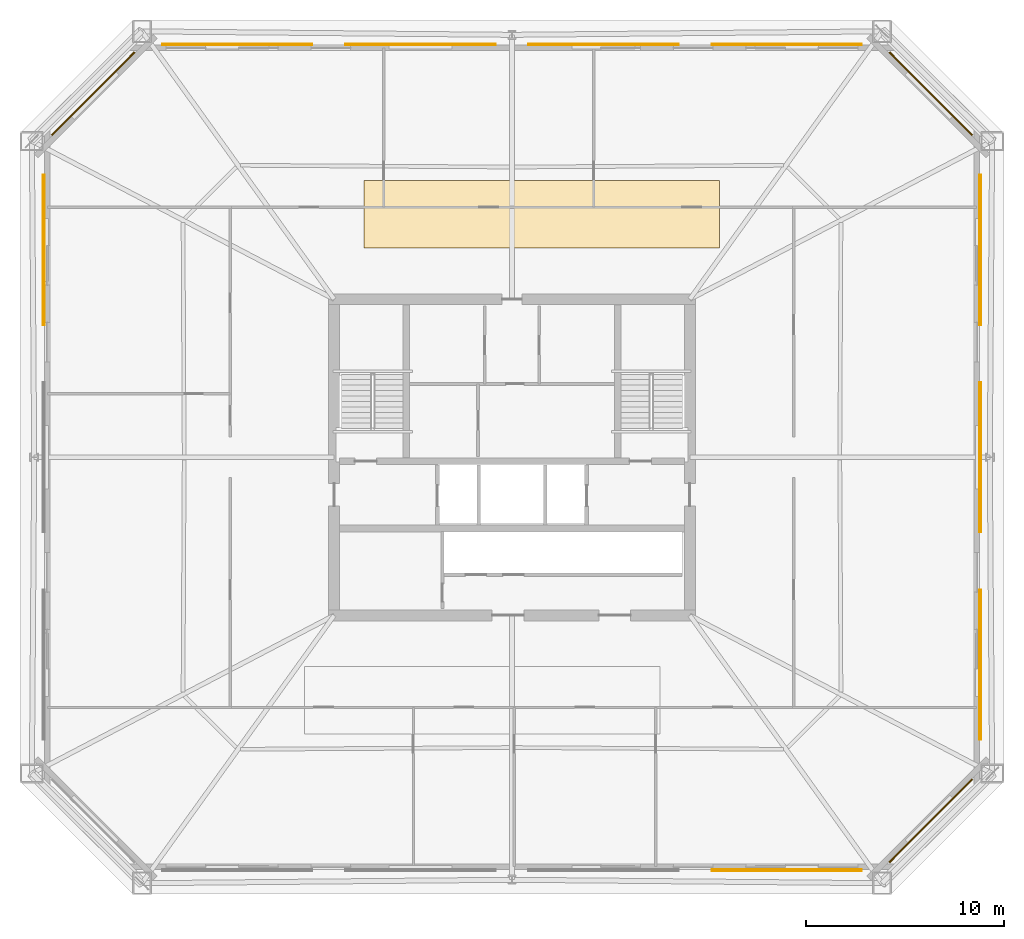
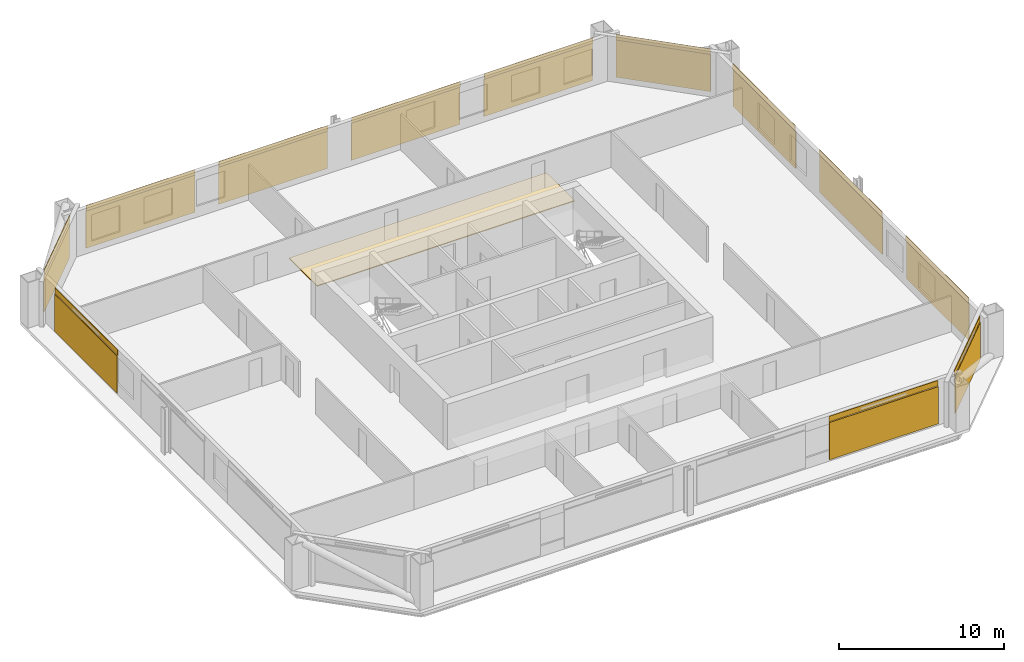
# One storey, part 7 of 7: 13 coverings, 12 shading devices.
"""IFC4 building model written with IfcOpenShell, lengths in metres."""

from ifc_helpers import new_model, si_unit, direction, frame, origin, origin_2d, place, context, subcontext, project, spatial, polyline, rectangle, outline, extrude, material, layer, layer_set, type_object, element, save


model = new_model("IFC4")

# Units and contexts
model_context = context("Model", 3, precision=1e-05, world=origin(), true_north=direction((0.0, 1.0)))
body_context = subcontext(model_context, "Body", "Model", "MODEL_VIEW")
ifc_project = project(units=[si_unit("LENGTHUNIT", "METRE"), si_unit("AREAUNIT", "SQUARE_METRE"), si_unit("VOLUMEUNIT", "CUBIC_METRE"), si_unit("PLANEANGLEUNIT", "RADIAN"), si_unit("MASSUNIT", "GRAM", prefix="KILO")], contexts=[model_context])

# Site, building, storey
site_placement = place(None, origin())
site = spatial("IfcSite", under=ifc_project, at=site_placement, CompositionType="ELEMENT")
building_placement = place(site_placement, origin())
building = spatial("IfcBuilding", under=site, at=building_placement, Name="Caelvoria Tower", CompositionType="ELEMENT")
storey_placement = place(building_placement, frame((0.0, 0.0, 98.800048828125)))
storey = spatial("IfcBuildingStorey", under=building, at=storey_placement, Name="L25", CompositionType="ELEMENT", Elevation=98.800048828125)

# Coverings
ifc_material_1 = material(Name="Perforated Architectural Bronze Cladding Screen", Category="bronze")
ifc_layer_1 = layer(ifc_material_1, 0.0400390625, Name="Perforated Architectural Bronze Cladding Screen")
ifc_layer_set_1 = layer_set([ifc_layer_1], Name="Perforated Bronze Louvre Cladding Band 40 - Perforated Architectural Bronze Cladding Screen")
covering_type_1 = type_object("IfcCoveringType", Name="Perforated Bronze Louvre Cladding Band 40", PredefinedType="CLADDING", material=ifc_layer_set_1)
covering_1_placement = place(storey_placement, frame((59.905029296875, 11.1279296875, 2.93994140625), z_axis=(0.0, 0.0, 1.0), x_axis=(1.0, 0.0, 0.0)))
element("IfcCovering", 1, at=covering_1_placement, inside=storey, type_object=covering_type_1, Name="Perforated Bronze Screen Band L25-E0-03", PredefinedType="CLADDING", context=body_context, shape_type="SweptSolid", body=[
    extrude(rectangle(XDim=7.60009765625, YDim=0.0400390625, at=origin_2d()), origin(), (0.0, 0.0, 1.0), 0.39990234375),
])
covering_2_placement = place(storey_placement, frame((67.181640625, 13.618408203125, 2.93994140625), z_axis=(0.0, 0.0, 1.0), x_axis=(0.707106781187, 0.707106781187, 0.0)))
element("IfcCovering", 2, at=covering_2_placement, inside=storey, type_object=covering_type_1, Name="Perforated Bronze Screen Band L25-E1-00", PredefinedType="CLADDING", context=body_context, shape_type="SweptSolid", body=[
    extrude(rectangle(XDim=5.93212890625, YDim=0.0400390625, at=origin_2d()), origin(), (0.0, 0.0, 1.0), 0.39990234375),
])
for number, where, z_axis, x_axis, name in (
    (3, (69.672119140625, 21.506591796875, 2.93994140625), (0.0, 0.0, 1.0), (0.0, 1.0, 0.0), "Perforated Bronze Screen Band L25-E2-00"),
    (4, (69.672119140625, 32.0, 2.93994140625), (0.0, 0.0, 1.0), (0.0, 1.0, 0.0), "Perforated Bronze Screen Band L25-E2-01"),
    (5, (69.672119140625, 42.493408203125, 2.93994140625), (0.0, 0.0, 1.0), (0.0, 1.0, 0.0), "Perforated Bronze Screen Band L25-E2-02"),
):
    element("IfcCovering", number, at=place(storey_placement, frame(where, z_axis=z_axis, x_axis=x_axis)), inside=storey, type_object=covering_type_1, Name=name, PredefinedType="CLADDING", context=body_context, shape_type="SweptSolid", body=[
        extrude(rectangle(XDim=7.60009765625, YDim=0.0400390625, at=origin_2d()), origin(), (0.0, 0.0, 1.0), 0.39990234375),
    ])
covering_3_placement = place(storey_placement, frame((67.181640625, 50.381591796875, 2.93994140625), z_axis=(0.0, 0.0, 1.0), x_axis=(-0.707106781187, 0.707106781187, 0.0)))
element("IfcCovering", 6, at=covering_3_placement, inside=storey, type_object=covering_type_1, Name="Perforated Bronze Screen Band L25-E3-00", PredefinedType="CLADDING", context=body_context, shape_type="SweptSolid", body=[
    extrude(rectangle(XDim=5.93212890625, YDim=0.0400390625, at=origin_2d()), origin(), (0.0, 0.0, 1.0), 0.39990234375),
])
for number, where, z_axis, x_axis, name in (
    (7, (59.905029296875, 52.8720703125, 2.93994140625), (0.0, 0.0, 1.0), (-1.0, 0.0, 0.0), "Perforated Bronze Screen Band L25-E4-00"),
    (8, (50.635009765625, 52.8720703125, 2.93994140625), (0.0, 0.0, 1.0), (-1.0, 0.0, 0.0), "Perforated Bronze Screen Band L25-E4-01"),
    (9, (41.364990234375, 52.8720703125, 2.93994140625), (0.0, 0.0, 1.0), (-1.0, 0.0, 0.0), "Perforated Bronze Screen Band L25-E4-02"),
    (10, (32.094970703125, 52.8720703125, 2.93994140625), (0.0, 0.0, 1.0), (-1.0, 0.0, 0.0), "Perforated Bronze Screen Band L25-E4-03"),
):
    element("IfcCovering", number, at=place(storey_placement, frame(where, z_axis=z_axis, x_axis=x_axis)), inside=storey, type_object=covering_type_1, Name=name, PredefinedType="CLADDING", context=body_context, shape_type="SweptSolid", body=[
        extrude(rectangle(XDim=7.60009765625, YDim=0.0400390625, at=origin_2d()), origin(), (0.0, 0.0, 1.0), 0.39990234375),
    ])
covering_4_placement = place(storey_placement, frame((24.818359375, 50.381591796875, 2.93994140625), z_axis=(0.0, 0.0, 1.0), x_axis=(-0.707106781187, -0.707106781187, 0.0)))
element("IfcCovering", 11, at=covering_4_placement, inside=storey, type_object=covering_type_1, Name="Perforated Bronze Screen Band L25-E5-00", PredefinedType="CLADDING", context=body_context, shape_type="SweptSolid", body=[
    extrude(rectangle(XDim=5.93212890625, YDim=0.0400390625, at=origin_2d()), origin(), (0.0, 0.0, 1.0), 0.39990234375),
])
covering_5_placement = place(storey_placement, frame((22.327880859375, 42.493408203125, 2.93994140625), z_axis=(0.0, 0.0, 1.0), x_axis=(0.0, -1.0, 0.0)))
element("IfcCovering", 12, at=covering_5_placement, inside=storey, type_object=covering_type_1, Name="Perforated Bronze Screen Band L25-E6-00", PredefinedType="CLADDING", context=body_context, shape_type="SweptSolid", body=[
    extrude(rectangle(XDim=7.60009765625, YDim=0.0400390625, at=origin_2d()), origin(), (0.0, 0.0, 1.0), 0.39990234375),
])

# Shading devices
ifc_material_2 = material(Name="Perforated Architectural Bronze Alloy Panel", Category="bronze")
ifc_layer_2 = layer(ifc_material_2, 0.044921875, Name="Perforated Architectural Bronze Alloy Panel")
ifc_layer_set_2 = layer_set([ifc_layer_2], Name="Perforated Bronze Solar Screen Panel SCREEN - Perforated Architectural Bronze Alloy Panel")
shading_device_type = type_object("IfcShadingDeviceType", Name="Perforated Bronze Solar Screen Panel SCREEN", PredefinedType="USERDEFINED", material=ifc_layer_set_2)
shading_device_1_placement = place(storey_placement, frame((59.905029296875, 11.0849609375, 0.159912109375), z_axis=(0.0, 0.0, 1.0), x_axis=(1.0, 0.0, 0.0)))
element("IfcShadingDevice", 13, at=shading_device_1_placement, inside=storey, type_object=shading_device_type, Name="Perforated Bronze Solar Screen L25-E0-03", ObjectType="SCREEN", PredefinedType="USERDEFINED", context=body_context, shape_type="SweptSolid", body=[
    extrude(rectangle(XDim=7.60009765625, YDim=0.044921875, at=origin_2d()), origin(), (0.0, 0.0, 1.0), 2.75),
])
shading_device_2_placement = place(storey_placement, frame((67.212158203125, 13.587890625, 0.159912109375), z_axis=(0.0, 0.0, 1.0), x_axis=(0.707106781187, 0.707106781187, 0.0)))
element("IfcShadingDevice", 14, at=shading_device_2_placement, inside=storey, type_object=shading_device_type, Name="Perforated Bronze Solar Screen L25-E1-00", ObjectType="SCREEN", PredefinedType="USERDEFINED", context=body_context, shape_type="SweptSolid", body=[
    extrude(rectangle(XDim=5.93212890625, YDim=0.044921875, at=origin_2d()), origin(), (0.0, 0.0, 1.0), 2.75),
])
for number, where, z_axis, x_axis, name in (
    (15, (69.715087890625, 21.506591796875, 0.159912109375), (0.0, 0.0, 1.0), (0.0, 1.0, 0.0), "Perforated Bronze Solar Screen L25-E2-00"),
    (16, (69.715087890625, 32.0, 0.159912109375), (0.0, 0.0, 1.0), (0.0, 1.0, 0.0), "Perforated Bronze Solar Screen L25-E2-01"),
    (17, (69.715087890625, 42.493408203125, 0.159912109375), (0.0, 0.0, 1.0), (0.0, 1.0, 0.0), "Perforated Bronze Solar Screen L25-E2-02"),
):
    element("IfcShadingDevice", number, at=place(storey_placement, frame(where, z_axis=z_axis, x_axis=x_axis)), inside=storey, type_object=shading_device_type, Name=name, ObjectType="SCREEN", PredefinedType="USERDEFINED", context=body_context, shape_type="SweptSolid", body=[
        extrude(rectangle(XDim=7.60009765625, YDim=0.044921875, at=origin_2d()), origin(), (0.0, 0.0, 1.0), 2.75),
    ])
shading_device_3_placement = place(storey_placement, frame((67.212158203125, 50.412109375, 0.159912109375), z_axis=(0.0, 0.0, 1.0), x_axis=(-0.707106781187, 0.707106781187, 0.0)))
element("IfcShadingDevice", 18, at=shading_device_3_placement, inside=storey, type_object=shading_device_type, Name="Perforated Bronze Solar Screen L25-E3-00", ObjectType="SCREEN", PredefinedType="USERDEFINED", context=body_context, shape_type="SweptSolid", body=[
    extrude(rectangle(XDim=5.93212890625, YDim=0.044921875, at=origin_2d()), origin(), (0.0, 0.0, 1.0), 2.75),
])
for number, where, z_axis, x_axis, name in (
    (19, (59.905029296875, 52.9150390625, 0.159912109375), (0.0, 0.0, 1.0), (-1.0, 0.0, 0.0), "Perforated Bronze Solar Screen L25-E4-00"),
    (20, (50.635009765625, 52.9150390625, 0.159912109375), (0.0, 0.0, 1.0), (-1.0, 0.0, 0.0), "Perforated Bronze Solar Screen L25-E4-01"),
    (21, (41.364990234375, 52.9150390625, 0.159912109375), (0.0, 0.0, 1.0), (-1.0, 0.0, 0.0), "Perforated Bronze Solar Screen L25-E4-02"),
    (22, (32.094970703125, 52.9150390625, 0.159912109375), (0.0, 0.0, 1.0), (-1.0, 0.0, 0.0), "Perforated Bronze Solar Screen L25-E4-03"),
):
    element("IfcShadingDevice", number, at=place(storey_placement, frame(where, z_axis=z_axis, x_axis=x_axis)), inside=storey, type_object=shading_device_type, Name=name, ObjectType="SCREEN", PredefinedType="USERDEFINED", context=body_context, shape_type="SweptSolid", body=[
        extrude(rectangle(XDim=7.60009765625, YDim=0.044921875, at=origin_2d()), origin(), (0.0, 0.0, 1.0), 2.75),
    ])
shading_device_4_placement = place(storey_placement, frame((24.787841796875, 50.412109375, 0.159912109375), z_axis=(0.0, 0.0, 1.0), x_axis=(-0.707106781187, -0.707106781187, 0.0)))
element("IfcShadingDevice", 23, at=shading_device_4_placement, inside=storey, type_object=shading_device_type, Name="Perforated Bronze Solar Screen L25-E5-00", ObjectType="SCREEN", PredefinedType="USERDEFINED", context=body_context, shape_type="SweptSolid", body=[
    extrude(rectangle(XDim=5.93212890625, YDim=0.044921875, at=origin_2d()), origin(), (0.0, 0.0, 1.0), 2.75),
])
shading_device_5_placement = place(storey_placement, frame((22.284912109375, 42.493408203125, 0.159912109375), z_axis=(0.0, 0.0, 1.0), x_axis=(0.0, -1.0, 0.0)))
element("IfcShadingDevice", 24, at=shading_device_5_placement, inside=storey, type_object=shading_device_type, Name="Perforated Bronze Solar Screen L25-E6-00", ObjectType="SCREEN", PredefinedType="USERDEFINED", context=body_context, shape_type="SweptSolid", body=[
    extrude(rectangle(XDim=7.60009765625, YDim=0.044921875, at=origin_2d()), origin(), (0.0, 0.0, 1.0), 2.75),
])

# Covering
ifc_material_3 = material(Name="Calcium-Sulphate Raised Floor Tile", Category="gypsum")
ifc_layer_3 = layer(ifc_material_3, 0.06005859375, Name="Calcium-Sulphate Raised Floor Tile")
ifc_layer_set_3 = layer_set([ifc_layer_3], Name="Raised Access Office Floor System 120 - Calcium-Sulphate Raised Floor Tile")
covering_type_2 = type_object("IfcCoveringType", Name="Raised Access Office Floor System 120", PredefinedType="FLOORING", material=ifc_layer_set_3)
covering_6_placement = place(storey_placement, origin())
element("IfcCovering", 25, at=covering_6_placement, inside=storey, type_object=covering_type_2, Name="Raised Access Flooring L25", PredefinedType="FLOORING", context=body_context, shape_type="SweptSolid", body=[
    extrude(outline(polyline([(38.5, 42.60009765625), (56.5, 42.60009765625), (56.5, 46.0), (38.5, 46.0), (38.5, 42.60009765625)])), origin(), (0.0, 0.0, 1.0), 0.06005859375),
])

save(model, "model.ifc")
